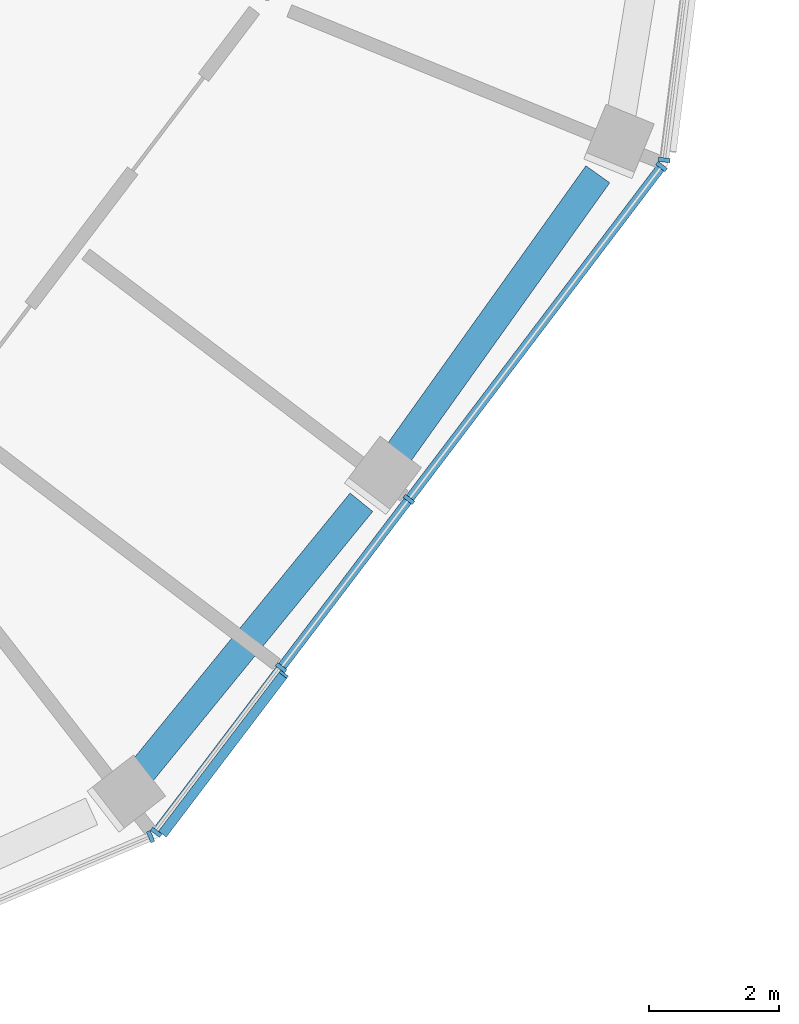
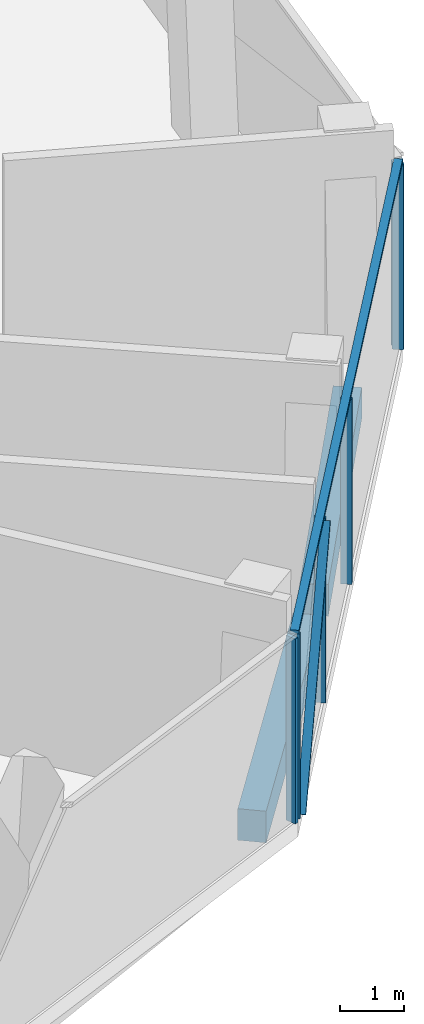
# One storey, part 4 of 18: 8 members, 2 beams, 3 elements without a shape of their own.
"""IFC4 building model written with IfcOpenShell, lengths in metres."""

import ifcopenshell
import ifcopenshell.guid

model = None  # the IFC model being written
_history = None  # IfcOwnerHistory: only IFC2X3 demands one
_inside = {}  # id of a spatial element -> (the spatial element, [elements in it])
_under = {}  # id of a project, library or spatial element -> (it, [spatial elements below it])
_declared = {}  # id of a project -> (the project, [libraries it declares])
_typed = {}  # id of a type object -> (the type object, [elements of that type])
_made_of = {}  # id of a material, layer set ... -> (it, [elements and type objects made of it])


def new_model(schema):
    """Start an empty IFC model of exactly this schema.

    Asked for "IFC4X3", IfcOpenShell would pick the latest addendum, in which some entities
    have other attributes; the version numbers below select the first issue.
    IFC2X3 requires an IfcOwnerHistory on every rooted entity: one is made here for all.
    """
    global model, _history
    if schema == "IFC4X3":
        model = ifcopenshell.file(schema_version=(4, 3, 0, 0))
    else:
        model = ifcopenshell.file(schema=schema)
    _inside.clear()
    _under.clear()
    _declared.clear()
    _typed.clear()
    _made_of.clear()
    _history = None
    if model.schema == "IFC2X3":
        org = make("IfcOrganization", Name="unknown")
        user = make(
            "IfcPersonAndOrganization",
            ThePerson=make("IfcPerson", FamilyName="unknown"),
            TheOrganization=org,
        )
        app = make(
            "IfcApplication",
            ApplicationDeveloper=org,
            Version="unknown",
            ApplicationFullName="unknown",
            ApplicationIdentifier="unknown",
        )
        _history = make(
            "IfcOwnerHistory",
            OwningUser=user,
            OwningApplication=app,
            ChangeAction="ADDED",
            CreationDate=0,
        )
    return model


def make(cls, **values):
    """One entity of the class cls with the attributes given. An attribute that is None is left unset."""
    return model.create_entity(
        cls, **{name: value for name, value in values.items() if value is not None}
    )


def rooted(cls, **values):
    """An entity with a GlobalId (a new one), such as an element, a storey or a relation."""
    return make(cls, GlobalId=ifcopenshell.guid.new(), OwnerHistory=_history, **values)


def si_unit(unit_type, name, prefix=None):
    """IfcSIUnit, for example si_unit("LENGTHUNIT", "METRE", prefix="MILLI")."""
    return make("IfcSIUnit", UnitType=unit_type, Prefix=prefix, Name=name)


def assignment(units):
    """IfcUnitAssignment: the units of a project."""
    return None if units is None else make("IfcUnitAssignment", Units=units)


def point(xyz):
    """IfcCartesianPoint."""
    return None if xyz is None else make("IfcCartesianPoint", Coordinates=xyz)


def direction(xyz):
    """IfcDirection."""
    return None if xyz is None else make("IfcDirection", DirectionRatios=xyz)


def frame(location, z_axis=None, x_axis=None):
    """IfcAxis2Placement3D, a coordinate frame: its origin and axes. An axis left out is left unset."""
    return make(
        "IfcAxis2Placement3D",
        Location=point(location),
        Axis=direction(z_axis),
        RefDirection=direction(x_axis),
    )


def frame_2d(location, x_axis=None):
    """IfcAxis2Placement2D, a coordinate frame in the plane: its origin and x axis."""
    return make(
        "IfcAxis2Placement2D", Location=point(location), RefDirection=direction(x_axis)
    )


def origin():
    """The frame at (0, 0, 0) with its axes left unset."""
    return frame((0.0, 0.0, 0.0))


def origin_2d():
    """The frame at (0, 0) in the plane with its x axis left unset."""
    return frame_2d((0.0, 0.0))


def place(relative_to, where):
    """IfcLocalPlacement: puts the frame where relative to a parent placement (None: the world)."""
    return make(
        "IfcLocalPlacement", PlacementRelTo=relative_to, RelativePlacement=where
    )


def context(
    kind, dimensions, precision=None, world=None, true_north=None, identifier=None
):
    """IfcGeometricRepresentationContext, for example the 3D "Model" context."""
    return make(
        "IfcGeometricRepresentationContext",
        ContextIdentifier=identifier,
        ContextType=kind,
        CoordinateSpaceDimension=dimensions,
        Precision=precision,
        WorldCoordinateSystem=world,
        TrueNorth=true_north,
    )


def subcontext(parent, identifier, kind, view, scale=None):
    """IfcGeometricRepresentationSubContext, for example "Body" below "Model"."""
    return make(
        "IfcGeometricRepresentationSubContext",
        ContextIdentifier=identifier,
        ContextType=kind,
        ParentContext=parent,
        TargetScale=scale,
        TargetView=view,
    )


def project(units=None, contexts=None):
    """IfcProject with its units and contexts."""
    return rooted(
        "IfcProject",
        Name="project",
        RepresentationContexts=contexts,
        UnitsInContext=assignment(units),
    )


def spatial(cls, under=None, at=None, **own):
    """A site, building, storey or space (cls), placed at a placement, below another one or the project."""
    s = rooted(cls, ObjectPlacement=at, **own)
    if under is not None:
        _under.setdefault(under.id(), (under, []))[1].append(s)
    return s


def profile(cls, at=None, kind="AREA", **sizes):
    """A parametric profile (cls). Its sizes go by their IFC names, for example OverallWidth=200.0."""
    return make(cls, ProfileType=kind, Position=at, **sizes)


def rectangle(**sizes):
    """IfcRectangleProfileDef."""
    return profile("IfcRectangleProfileDef", **sizes)


def extrude(swept, where, along, depth):
    """IfcExtrudedAreaSolid: the profile swept, set in the frame where, extruded along a direction by depth."""
    return make(
        "IfcExtrudedAreaSolid",
        SweptArea=swept,
        Position=where,
        ExtrudedDirection=direction(along),
        Depth=depth,
    )


def shape(context_of_items, identifier, shape_type, items):
    """IfcShapeRepresentation: the items that make up one representation, for example the "Body"."""
    return make(
        "IfcShapeRepresentation",
        ContextOfItems=context_of_items,
        RepresentationIdentifier=identifier,
        RepresentationType=shape_type,
        Items=items,
    )


def material(Name=None, Category=None):
    """IfcMaterial."""
    return make("IfcMaterial", Name=Name, Category=Category)


def layer(
    of_material, thickness, ventilated=None, Name=None, Category=None, Priority=None
):
    """IfcMaterialLayer: one layer of a wall or slab, of a material (None: an air gap)."""
    return make(
        "IfcMaterialLayer",
        Material=of_material,
        LayerThickness=thickness,
        IsVentilated=ventilated,
        Name=Name,
        Category=Category,
        Priority=Priority,
    )


def layer_set(layers, Name=None):
    """IfcMaterialLayerSet."""
    return make("IfcMaterialLayerSet", MaterialLayers=layers, LayerSetName=Name)


def material_profile(
    of_material, cross_section, Name=None, Category=None, Priority=None
):
    """IfcMaterialProfile: a cross section and its material."""
    return make(
        "IfcMaterialProfile",
        Name=Name,
        Material=of_material,
        Profile=cross_section,
        Priority=Priority,
        Category=Category,
    )


def profile_set(profiles, Name=None, composite=None):
    """IfcMaterialProfileSet."""
    return make(
        "IfcMaterialProfileSet",
        Name=Name,
        MaterialProfiles=profiles,
        CompositeProfile=composite,
    )


def made_of(thing, what):
    """Note that an element or type object is made of a material, layer set ...; save() writes the relation."""
    if what is not None:
        _made_of.setdefault(what.id(), (what, []))[1].append(thing)
    return thing


def type_object(cls, material=None, **own):
    """A type object (cls), such as IfcWallType, which elements share."""
    return made_of(rooted(cls, **own), material)


def element(
    cls,
    number,
    at=None,
    inside=None,
    cuts=None,
    type_object=None,
    material=None,
    context=None,
    identifier="Body",
    shape_type=None,
    held_by="IfcProductDefinitionShape",
    body=None,
    shapes=None,
    **own,
):
    """One element of the class cls, such as IfcWall. Its Tag is "e" and its number.

    at: its placement. inside: the storey or other place that contains it. cuts: it is an
    opening in that element (IfcRelVoidsElement). A single representation is given by context,
    identifier, shape_type and body (its items); several are given by shapes. held_by: the class
    of the entity that holds the representations. save() writes the other relations.
    """
    e = rooted(cls, Tag="e%d" % number, ObjectPlacement=at, **own)
    if body is not None:
        shapes = [shape(context, identifier, shape_type, body)]
    if shapes is not None:
        e.Representation = make(held_by, Representations=shapes)
    if inside is not None:
        _inside.setdefault(inside.id(), (inside, []))[1].append(e)
    if cuts is not None:
        rooted(
            "IfcRelVoidsElement", RelatingBuildingElement=cuts, RelatedOpeningElement=e
        )
    if type_object is not None:
        _typed.setdefault(type_object.id(), (type_object, []))[1].append(e)
    return made_of(e, material)


def aggregate(whole, parts):
    """IfcRelAggregates: a whole, such as a stair, and the parts it consists of."""
    return rooted("IfcRelAggregates", RelatingObject=whole, RelatedObjects=parts)


def save(model, path):
    """Write the relations noted so far, then the file.

    IfcRelAggregates (storeys below a building ...), IfcRelContainedInSpatialStructure (elements
    in a storey), IfcRelDefinesByType, IfcRelAssociatesMaterial and IfcRelDeclares: one each for
    every whole, place, type object, material and project.
    """
    for whole, parts in _under.values():
        aggregate(whole, parts)
    for where, things in _inside.values():
        rooted(
            "IfcRelContainedInSpatialStructure",
            RelatedElements=things,
            RelatingStructure=where,
        )
    for kind, things in _typed.values():
        rooted("IfcRelDefinesByType", RelatedObjects=things, RelatingType=kind)
    for what, things in _made_of.values():
        rooted("IfcRelAssociatesMaterial", RelatedObjects=things, RelatingMaterial=what)
    for by, libraries in _declared.values():
        rooted("IfcRelDeclares", RelatingContext=by, RelatedDefinitions=libraries)
    model.write(path)


model = new_model("IFC4")

# Units and contexts
model_context = context("Model", 3, precision=1e-05, world=origin(), true_north=direction((0.0, 1.0)))
body_context = subcontext(model_context, "Body", "Model", "MODEL_VIEW")
ifc_project = project(units=[si_unit("LENGTHUNIT", "METRE"), si_unit("AREAUNIT", "SQUARE_METRE"), si_unit("VOLUMEUNIT", "CUBIC_METRE"), si_unit("PLANEANGLEUNIT", "RADIAN"), si_unit("MASSUNIT", "GRAM", prefix="KILO")], contexts=[model_context])

# Site, building, storey
site_placement = place(None, origin())
site = spatial("IfcSite", under=ifc_project, at=site_placement, CompositionType="ELEMENT")
building_placement = place(site_placement, origin())
building = spatial("IfcBuilding", under=site, at=building_placement, Name="Verdalira Terraces Hotel", CompositionType="ELEMENT")
storey_placement = place(building_placement, frame((0.0, 0.0, 248.0)))
storey = spatial("IfcBuildingStorey", under=building, at=storey_placement, Name="L61", CompositionType="ELEMENT", Elevation=248.0)

# Curtain wall, member
ifc_material_1 = material(Name="Clear glass", Category="glass")
ifc_layer = layer(ifc_material_1, 0.179931640625)
ifc_layer_set = layer_set([ifc_layer], Name="CW4 curtain wall")
curtain_wall_type = type_object("IfcCurtainWallType", Name="CW4 curtain wall", PredefinedType="NOTDEFINED", material=ifc_layer_set)
curtain_wall_1_placement = place(storey_placement, origin())
curtain_wall_1 = element("IfcCurtainWall", 1, at=curtain_wall_1_placement, inside=storey, type_object=curtain_wall_type, Name="CW4 curtain wall L61 edge 25", PredefinedType="NOTDEFINED")
ifc_material_2 = material(Name="Terracotta frame", Category="masonry")
ifc_material_profile_1 = material_profile(ifc_material_2, rectangle(XDim=0.064941, YDim=0.179932, at=origin_2d()), Name="MU 65x180")
ifc_profile_set_1 = profile_set([ifc_material_profile_1], Name="Terracotta frame")
member_type_1 = type_object("IfcMemberType", Name="CW4 mullion 65x180", PredefinedType="MULLION", material=ifc_profile_set_1)
member_1_placement = place(storey_placement, frame((15.302246, -19.816895, 0.0), z_axis=(0.0, 0.0, 1.0), x_axis=(0.921863152, 0.387515586, 0.0)))
member_1 = element("IfcMember", 2, at=member_1_placement, type_object=member_type_1, Name="CW4 mullion", PredefinedType="MULLION", context=body_context, shape_type="SweptSolid", body=[
    extrude(rectangle(XDim=0.064941, YDim=0.179932, at=origin_2d()), origin(), (0.0, 0.0, 1.0), 3.52002),
])
aggregate(curtain_wall_1, [member_1])

# Curtain wall, members
curtain_wall_2_placement = place(storey_placement, origin())
curtain_wall_2 = element("IfcCurtainWall", 3, at=curtain_wall_2_placement, inside=storey, type_object=curtain_wall_type, Name="CW4 curtain wall L61 edge 26", PredefinedType="NOTDEFINED")
member_2_placement = place(storey_placement, frame((15.388672, -19.749756, 0.0), z_axis=(0.0, 0.0, 1.0), x_axis=(0.604599115, 0.796529918, 0.0)))
member_2 = element("IfcMember", 4, at=member_2_placement, type_object=member_type_1, Name="CW4 mullion", PredefinedType="MULLION", context=body_context, shape_type="SweptSolid", body=[
    extrude(rectangle(XDim=0.064941, YDim=0.179932, at=origin_2d()), origin(), (0.0, 0.0, 1.0), 3.52002),
])
member_3_placement = place(storey_placement, frame((17.309814, -17.218994, 0.0), z_axis=(0.0, 0.0, 1.0), x_axis=(0.604599115, 0.796529918, 0.0)))
member_3 = element("IfcMember", 5, at=member_3_placement, type_object=member_type_1, Name="CW4 mullion", PredefinedType="MULLION", context=body_context, shape_type="SweptSolid", body=[
    extrude(rectangle(XDim=0.064941, YDim=0.179932, at=origin_2d()), origin(), (0.0, 0.0, 1.0), 3.52002),
])
member_4_placement = place(storey_placement, frame((19.274658, -14.630371, 0.0), z_axis=(0.0, 0.0, 1.0), x_axis=(0.604599115, 0.796529918, 0.0)))
member_4 = element("IfcMember", 6, at=member_4_placement, type_object=member_type_1, Name="CW4 mullion", PredefinedType="MULLION", context=body_context, shape_type="SweptSolid", body=[
    extrude(rectangle(XDim=0.064941, YDim=0.179932, at=origin_2d()), origin(), (0.0, 0.0, 1.0), 3.52002),
])
member_5_placement = place(storey_placement, frame((23.160645, -9.510742, 0.0), z_axis=(0.0, 0.0, 1.0), x_axis=(0.604599115, 0.796529918, 0.0)))
member_5 = element("IfcMember", 7, at=member_5_placement, type_object=member_type_1, Name="CW4 mullion", PredefinedType="MULLION", context=body_context, shape_type="SweptSolid", body=[
    extrude(rectangle(XDim=0.064941, YDim=0.179932, at=origin_2d()), origin(), (0.0, 0.0, 1.0), 3.52002),
])

# Curtain wall, member
curtain_wall_3_placement = place(storey_placement, origin())
curtain_wall_3 = element("IfcCurtainWall", 8, at=curtain_wall_3_placement, inside=storey, type_object=curtain_wall_type, Name="CW4 curtain wall L61 edge 27", PredefinedType="NOTDEFINED")
member_6_placement = place(storey_placement, frame((23.201904, -9.409424, 0.0), z_axis=(0.0, 0.0, 1.0), x_axis=(0.125333234, 0.992114701, 0.0)))
member_6 = element("IfcMember", 9, at=member_6_placement, type_object=member_type_1, Name="CW4 mullion", PredefinedType="MULLION", context=body_context, shape_type="SweptSolid", body=[
    extrude(rectangle(XDim=0.064941, YDim=0.179932, at=origin_2d()), origin(), (0.0, 0.0, 1.0), 3.52002),
])
aggregate(curtain_wall_3, [member_6])

# Member
ifc_material_3 = material(Name="Terracotta frame", Category="masonry")
ifc_material_profile_2 = material_profile(ifc_material_3, rectangle(XDim=0.139893, YDim=0.070068, at=origin_2d()), Name="TR 70x140")
ifc_profile_set_2 = profile_set([ifc_material_profile_2], Name="Terracotta frame")
member_type_2 = type_object("IfcMemberType", Name="CW4 transom 70x140", PredefinedType="USERDEFINED", material=ifc_profile_set_2)
member_7_placement = place(storey_placement, frame((15.369141, -19.775635, 3.554932), z_axis=(0.604594914, 0.796533107, 0.0), x_axis=(-0.796533107, 0.604594914, 0.0)))
member_7 = element("IfcMember", 10, at=member_7_placement, type_object=member_type_2, Name="CW4 transom", ObjectType="TRANSOM", PredefinedType="USERDEFINED", context=body_context, shape_type="SweptSolid", body=[
    extrude(rectangle(XDim=0.139893, YDim=0.070068, at=origin_2d()), origin(), (0.0, 0.0, 1.0), 12.919434),
])

ifc_material_4 = material(Name="Terracotta frame", Category="masonry")
ifc_material_profile_3 = material_profile(ifc_material_4, rectangle(XDim=0.149902, YDim=0.060059, at=origin_2d()), Name="GB 60x150")
ifc_profile_set_3 = profile_set([ifc_material_profile_3], Name="Terracotta frame")
member_type_3 = type_object("IfcMemberType", Name="Diagonal glazing bar 60x150", PredefinedType="USERDEFINED", material=ifc_profile_set_3)
member_8_placement = place(storey_placement, frame((15.496826, -19.76123, 0.026855), z_axis=(0.400489339, 0.527601173, 0.749163061), x_axis=(-0.796516648, 0.604616597, 0.0)))
member_8 = element("IfcMember", 11, at=member_8_placement, type_object=member_type_3, Name="Diagonal glazing bar", ObjectType="GLAZING BAR", PredefinedType="USERDEFINED", context=body_context, shape_type="SweptSolid", body=[
    extrude(rectangle(XDim=0.149902, YDim=0.060059, at=origin_2d()), origin(), (0.0, 0.0, 1.0), 4.626953),
])

aggregate(curtain_wall_2, [member_2, member_3, member_4, member_5, member_7, member_8])

# Beams
ifc_material_5 = material(Name="Concrete C40", Category="concrete")
ifc_material_profile_4 = material_profile(ifc_material_5, rectangle(XDim=0.449951, YDim=0.600098, at=origin_2d()), Name="RC 450X600")
ifc_profile_set_4 = profile_set([ifc_material_profile_4], Name="Concrete C40")
beam_type = type_object("IfcBeamType", Name="Spandrel beam RC 450X600 C40", PredefinedType="SPANDREL", material=ifc_profile_set_4)
beam_1_placement = place(storey_placement, frame((15.13501, -18.856934, -0.610107), z_axis=(0.631884386, 0.775062657, 0.0), x_axis=(-0.775062657, 0.631884386, 0.0)))
element("IfcBeam", 12, at=beam_1_placement, inside=storey, type_object=beam_type, Name="Spandrel beam B13", PredefinedType="SPANDREL", context=body_context, shape_type="SweptSolid", body=[
    extrude(rectangle(XDim=0.449951, YDim=0.600098, at=origin_2d()), origin(), (0.0, 0.0, 1.0), 5.396729),
])
beam_2_placement = place(storey_placement, frame((19.045166, -14.018555, -0.610107), z_axis=(0.581345219, 0.813657014, 0.0), x_axis=(-0.813657014, 0.581345219, 0.0)))
element("IfcBeam", 13, at=beam_2_placement, inside=storey, type_object=beam_type, Name="Spandrel beam B14", PredefinedType="SPANDREL", context=body_context, shape_type="SweptSolid", body=[
    extrude(rectangle(XDim=0.449951, YDim=0.600098, at=origin_2d()), origin(), (0.0, 0.0, 1.0), 5.394287),
])

save(model, "model.ifc")
